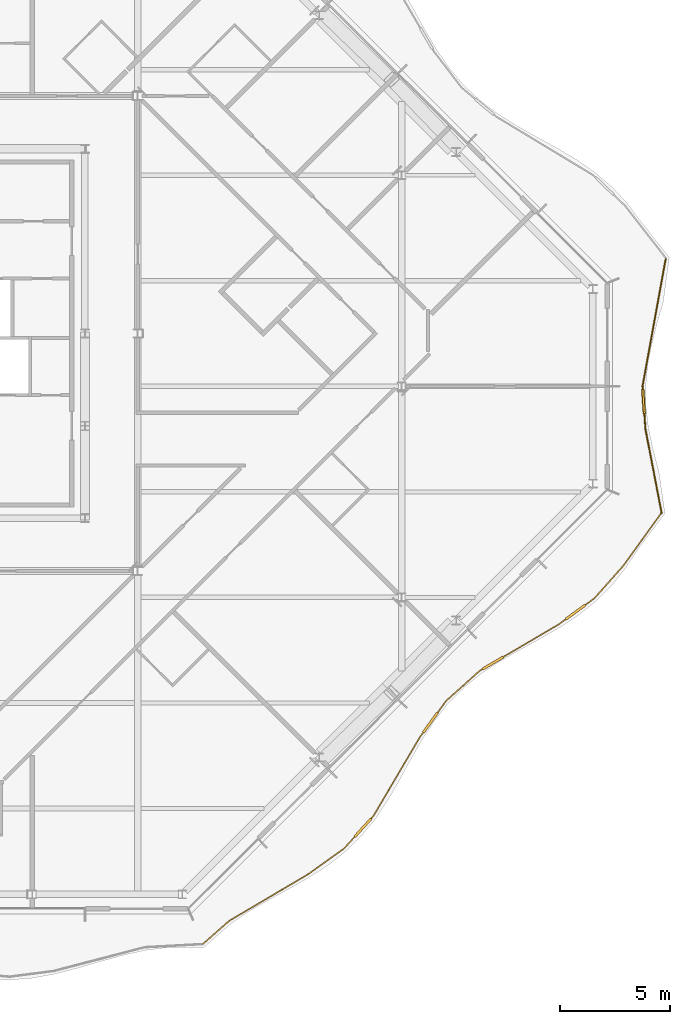
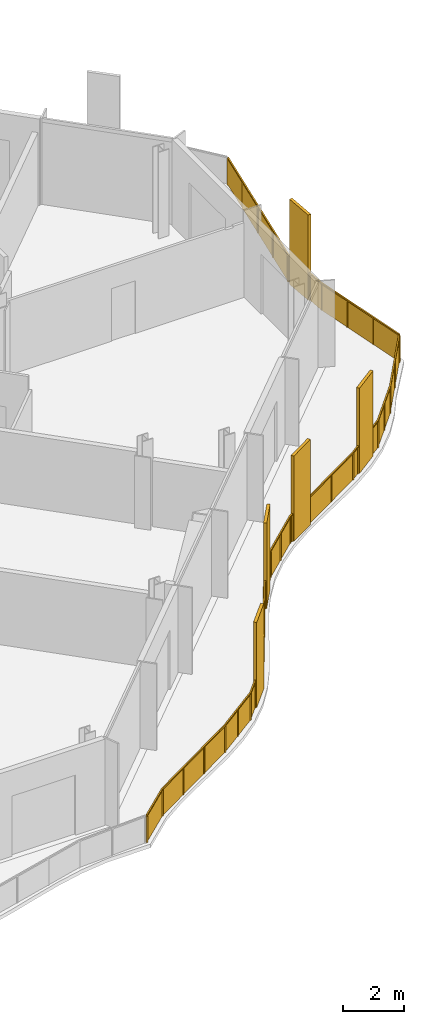
# One storey, part 14 of 16: 2 railings.
"""IFC4 building model written with IfcOpenShell, lengths in metres."""

import ifcopenshell
import ifcopenshell.guid

model = None  # the IFC model being written
_history = None  # IfcOwnerHistory: only IFC2X3 demands one
_inside = {}  # id of a spatial element -> (the spatial element, [elements in it])
_under = {}  # id of a project, library or spatial element -> (it, [spatial elements below it])
_declared = {}  # id of a project -> (the project, [libraries it declares])
_typed = {}  # id of a type object -> (the type object, [elements of that type])
_made_of = {}  # id of a material, layer set ... -> (it, [elements and type objects made of it])


def new_model(schema):
    """Start an empty IFC model of exactly this schema.

    Asked for "IFC4X3", IfcOpenShell would pick the latest addendum, in which some entities
    have other attributes; the version numbers below select the first issue.
    IFC2X3 requires an IfcOwnerHistory on every rooted entity: one is made here for all.
    """
    global model, _history
    if schema == "IFC4X3":
        model = ifcopenshell.file(schema_version=(4, 3, 0, 0))
    else:
        model = ifcopenshell.file(schema=schema)
    _inside.clear()
    _under.clear()
    _declared.clear()
    _typed.clear()
    _made_of.clear()
    _history = None
    if model.schema == "IFC2X3":
        org = make("IfcOrganization", Name="unknown")
        user = make(
            "IfcPersonAndOrganization",
            ThePerson=make("IfcPerson", FamilyName="unknown"),
            TheOrganization=org,
        )
        app = make(
            "IfcApplication",
            ApplicationDeveloper=org,
            Version="unknown",
            ApplicationFullName="unknown",
            ApplicationIdentifier="unknown",
        )
        _history = make(
            "IfcOwnerHistory",
            OwningUser=user,
            OwningApplication=app,
            ChangeAction="ADDED",
            CreationDate=0,
        )
    return model


def make(cls, **values):
    """One entity of the class cls with the attributes given. An attribute that is None is left unset."""
    return model.create_entity(
        cls, **{name: value for name, value in values.items() if value is not None}
    )


def rooted(cls, **values):
    """An entity with a GlobalId (a new one), such as an element, a storey or a relation."""
    return make(cls, GlobalId=ifcopenshell.guid.new(), OwnerHistory=_history, **values)


def si_unit(unit_type, name, prefix=None):
    """IfcSIUnit, for example si_unit("LENGTHUNIT", "METRE", prefix="MILLI")."""
    return make("IfcSIUnit", UnitType=unit_type, Prefix=prefix, Name=name)


def assignment(units):
    """IfcUnitAssignment: the units of a project."""
    return None if units is None else make("IfcUnitAssignment", Units=units)


def point(xyz):
    """IfcCartesianPoint."""
    return None if xyz is None else make("IfcCartesianPoint", Coordinates=xyz)


def direction(xyz):
    """IfcDirection."""
    return None if xyz is None else make("IfcDirection", DirectionRatios=xyz)


def frame(location, z_axis=None, x_axis=None):
    """IfcAxis2Placement3D, a coordinate frame: its origin and axes. An axis left out is left unset."""
    return make(
        "IfcAxis2Placement3D",
        Location=point(location),
        Axis=direction(z_axis),
        RefDirection=direction(x_axis),
    )


def frame_2d(location, x_axis=None):
    """IfcAxis2Placement2D, a coordinate frame in the plane: its origin and x axis."""
    return make(
        "IfcAxis2Placement2D", Location=point(location), RefDirection=direction(x_axis)
    )


def origin():
    """The frame at (0, 0, 0) with its axes left unset."""
    return frame((0.0, 0.0, 0.0))


def origin_2d():
    """The frame at (0, 0) in the plane with its x axis left unset."""
    return frame_2d((0.0, 0.0))


def place(relative_to, where):
    """IfcLocalPlacement: puts the frame where relative to a parent placement (None: the world)."""
    return make(
        "IfcLocalPlacement", PlacementRelTo=relative_to, RelativePlacement=where
    )


def context(
    kind, dimensions, precision=None, world=None, true_north=None, identifier=None
):
    """IfcGeometricRepresentationContext, for example the 3D "Model" context."""
    return make(
        "IfcGeometricRepresentationContext",
        ContextIdentifier=identifier,
        ContextType=kind,
        CoordinateSpaceDimension=dimensions,
        Precision=precision,
        WorldCoordinateSystem=world,
        TrueNorth=true_north,
    )


def subcontext(parent, identifier, kind, view, scale=None):
    """IfcGeometricRepresentationSubContext, for example "Body" below "Model"."""
    return make(
        "IfcGeometricRepresentationSubContext",
        ContextIdentifier=identifier,
        ContextType=kind,
        ParentContext=parent,
        TargetScale=scale,
        TargetView=view,
    )


def project(units=None, contexts=None):
    """IfcProject with its units and contexts."""
    return rooted(
        "IfcProject",
        Name="project",
        RepresentationContexts=contexts,
        UnitsInContext=assignment(units),
    )


def spatial(cls, under=None, at=None, **own):
    """A site, building, storey or space (cls), placed at a placement, below another one or the project."""
    s = rooted(cls, ObjectPlacement=at, **own)
    if under is not None:
        _under.setdefault(under.id(), (under, []))[1].append(s)
    return s


def polyline(points):
    """IfcPolyline through the points."""
    return make("IfcPolyline", Points=[point(p) for p in points])


def profile(cls, at=None, kind="AREA", **sizes):
    """A parametric profile (cls). Its sizes go by their IFC names, for example OverallWidth=200.0."""
    return make(cls, ProfileType=kind, Position=at, **sizes)


def rectangle(**sizes):
    """IfcRectangleProfileDef."""
    return profile("IfcRectangleProfileDef", **sizes)


def outline(outer, holes=None, kind="AREA"):
    """IfcArbitraryClosedProfileDef: a profile drawn as a closed curve; with holes, ...WithVoids."""
    if holes is None:
        return make("IfcArbitraryClosedProfileDef", ProfileType=kind, OuterCurve=outer)
    return make(
        "IfcArbitraryProfileDefWithVoids",
        ProfileType=kind,
        OuterCurve=outer,
        InnerCurves=holes,
    )


def extrude(swept, where, along, depth):
    """IfcExtrudedAreaSolid: the profile swept, set in the frame where, extruded along a direction by depth."""
    return make(
        "IfcExtrudedAreaSolid",
        SweptArea=swept,
        Position=where,
        ExtrudedDirection=direction(along),
        Depth=depth,
    )


def shape(context_of_items, identifier, shape_type, items):
    """IfcShapeRepresentation: the items that make up one representation, for example the "Body"."""
    return make(
        "IfcShapeRepresentation",
        ContextOfItems=context_of_items,
        RepresentationIdentifier=identifier,
        RepresentationType=shape_type,
        Items=items,
    )


def material(Name=None, Category=None):
    """IfcMaterial."""
    return make("IfcMaterial", Name=Name, Category=Category)


def made_of(thing, what):
    """Note that an element or type object is made of a material, layer set ...; save() writes the relation."""
    if what is not None:
        _made_of.setdefault(what.id(), (what, []))[1].append(thing)
    return thing


def type_object(cls, material=None, **own):
    """A type object (cls), such as IfcWallType, which elements share."""
    return made_of(rooted(cls, **own), material)


def element(
    cls,
    number,
    at=None,
    inside=None,
    cuts=None,
    type_object=None,
    material=None,
    context=None,
    identifier="Body",
    shape_type=None,
    held_by="IfcProductDefinitionShape",
    body=None,
    shapes=None,
    **own,
):
    """One element of the class cls, such as IfcWall. Its Tag is "e" and its number.

    at: its placement. inside: the storey or other place that contains it. cuts: it is an
    opening in that element (IfcRelVoidsElement). A single representation is given by context,
    identifier, shape_type and body (its items); several are given by shapes. held_by: the class
    of the entity that holds the representations. save() writes the other relations.
    """
    e = rooted(cls, Tag="e%d" % number, ObjectPlacement=at, **own)
    if body is not None:
        shapes = [shape(context, identifier, shape_type, body)]
    if shapes is not None:
        e.Representation = make(held_by, Representations=shapes)
    if inside is not None:
        _inside.setdefault(inside.id(), (inside, []))[1].append(e)
    if cuts is not None:
        rooted(
            "IfcRelVoidsElement", RelatingBuildingElement=cuts, RelatedOpeningElement=e
        )
    if type_object is not None:
        _typed.setdefault(type_object.id(), (type_object, []))[1].append(e)
    return made_of(e, material)


def aggregate(whole, parts):
    """IfcRelAggregates: a whole, such as a stair, and the parts it consists of."""
    return rooted("IfcRelAggregates", RelatingObject=whole, RelatedObjects=parts)


def save(model, path):
    """Write the relations noted so far, then the file.

    IfcRelAggregates (storeys below a building ...), IfcRelContainedInSpatialStructure (elements
    in a storey), IfcRelDefinesByType, IfcRelAssociatesMaterial and IfcRelDeclares: one each for
    every whole, place, type object, material and project.
    """
    for whole, parts in _under.values():
        aggregate(whole, parts)
    for where, things in _inside.values():
        rooted(
            "IfcRelContainedInSpatialStructure",
            RelatedElements=things,
            RelatingStructure=where,
        )
    for kind, things in _typed.values():
        rooted("IfcRelDefinesByType", RelatedObjects=things, RelatingType=kind)
    for what, things in _made_of.values():
        rooted("IfcRelAssociatesMaterial", RelatedObjects=things, RelatingMaterial=what)
    for by, libraries in _declared.values():
        rooted("IfcRelDeclares", RelatingContext=by, RelatedDefinitions=libraries)
    model.write(path)


model = new_model("IFC4")

# Units and contexts
model_context = context("Model", 3, precision=1e-05, world=origin(), true_north=direction((0.0, 1.0)))
body_context = subcontext(model_context, "Body", "Model", "MODEL_VIEW")
ifc_project = project(units=[si_unit("LENGTHUNIT", "METRE"), si_unit("AREAUNIT", "SQUARE_METRE"), si_unit("VOLUMEUNIT", "CUBIC_METRE"), si_unit("PLANEANGLEUNIT", "RADIAN"), si_unit("MASSUNIT", "GRAM", prefix="KILO")], contexts=[model_context])

# Site, building, storey
site_placement = place(None, origin())
site = spatial("IfcSite", under=ifc_project, at=site_placement, CompositionType="ELEMENT")
building_placement = place(site_placement, origin())
building = spatial("IfcBuilding", under=site, at=building_placement, Name="Cairn Pilgrim Tower", CompositionType="ELEMENT")
storey_placement = place(building_placement, frame((0.0, 0.0, 277.800048828125)))
storey = spatial("IfcBuildingStorey", under=building, at=storey_placement, Name="L71", CompositionType="ELEMENT", Elevation=277.800048828125)

# Railings
ifc_material = material(Name="Bronze anodised aluminium rail, posts and fin screens with laminated glass infill", Category="aluminium")
railing_type = type_object("IfcRailingType", Name="BALCONY GUARD WITH FIN SCREENS", PredefinedType="GUARDRAIL", material=ifc_material)
railing_1_placement = place(storey_placement, frame((22.1650390625, -25.3623046875, 0.0)))
element("IfcRailing", 1, at=railing_1_placement, inside=storey, type_object=railing_type, Name="Balcony guard BGF-2 with fin screens", PredefinedType="GUARDRAIL", context=body_context, shape_type="SweptSolid", body=[
    extrude(rectangle(XDim=0.050048828125, YDim=0.050048828125, at=origin_2d()), frame((0.0, 0.0, 1.0751953125), z_axis=(0.749927120547, 0.661520456122, 0.0), x_axis=(-0.661520456122, 0.749927120547, 0.0)), (0.0, 0.0, 1.0), 1.59619140625),
    extrude(rectangle(XDim=0.050048828125, YDim=0.050048828125, at=origin_2d()), frame((1.197021484375, 1.055908203125, 1.0751953125), z_axis=(0.861294158792, 0.508106654189, 0.0), x_axis=(-0.508106654189, 0.861294158792, 0.0)), (0.0, 0.0, 1.0), 4.162109375),
    extrude(rectangle(XDim=0.050048828125, YDim=0.050048828125, at=origin_2d()), frame((4.78173828125, 3.170654296875, 1.0751953125), z_axis=(0.813086538986, 0.582142834809, 0.0), x_axis=(-0.582142834809, 0.813086538986, 0.0)), (0.0, 0.0, 1.0), 2.015869140625),
    extrude(rectangle(XDim=1.10009765625, YDim=0.110107421875, at=origin_2d()), frame((7.28125, 5.294921875, 0.0), z_axis=(0.0, 0.0, 1.0), x_axis=(0.671003619612, 0.741454073067, 0.0)), (0.0, 0.0, 1.0), 3.39990234375),
    extrude(rectangle(XDim=0.050048828125, YDim=0.050048828125, at=origin_2d()), frame((6.4208984375, 4.34423828125, 1.0751953125), z_axis=(0.671003619612, 0.741454073067, 0.0), x_axis=(-0.741454073067, 0.671003619612, 0.0)), (0.0, 0.0, 1.0), 0.732421875),
    extrude(rectangle(XDim=0.050048828125, YDim=0.050048828125, at=origin_2d()), frame((7.650390625, 5.702880859375, 1.0751953125), z_axis=(0.671003619612, 0.741454073067, 0.0), x_axis=(-0.741454073067, 0.671003619612, 0.0)), (0.0, 0.0, 1.0), 0.14990234375),
    extrude(rectangle(XDim=0.050048828125, YDim=0.050048828125, at=origin_2d()), frame((7.7509765625, 5.81396484375, 1.0751953125), z_axis=(0.507274800185, 0.861784356494, 0.0), x_axis=(-0.861784356494, 0.507274800185, 0.0)), (0.0, 0.0, 1.0), 4.147216796875),
    extrude(rectangle(XDim=1.10009765625, YDim=0.110107421875, at=origin_2d()), frame((10.34423828125, 10.06591796875, 0.0), z_axis=(0.0, 0.0, 1.0), x_axis=(0.585455943842, 0.810704223389, 0.0)), (0.0, 0.0, 1.0), 3.39990234375),
    extrude(rectangle(XDim=0.050048828125, YDim=0.050048828125, at=origin_2d()), frame((9.854736328125, 9.387939453125, 1.0751953125), z_axis=(0.585455943842, 0.810704223389, 0.0), x_axis=(-0.810704223389, 0.585455943842, 0.0)), (0.0, 0.0, 1.0), 0.2861328125),
    extrude(rectangle(XDim=0.050048828125, YDim=0.050048828125, at=origin_2d()), frame((10.666259765625, 10.51171875, 1.0751953125), z_axis=(0.585455943842, 0.810704223389, 0.0), x_axis=(-0.810704223389, 0.585455943842, 0.0)), (0.0, 0.0, 1.0), 0.67431640625),
    extrude(rectangle(XDim=0.050048828125, YDim=0.050048828125, at=origin_2d()), frame((11.06103515625, 11.058349609375, 1.0751953125), z_axis=(0.744776014458, 0.667314534749, 0.0), x_axis=(-0.667314534749, 0.744776014458, 0.0)), (0.0, 0.0, 1.0), 2.04541015625),
    extrude(rectangle(XDim=1.10009765625, YDim=0.110107421875, at=origin_2d()), frame((13.188232421875, 12.77783203125, 0.0), z_axis=(0.0, 0.0, 1.0), x_axis=(0.862256597485, 0.506471677484, 0.0)), (0.0, 0.0, 1.0), 3.39990234375),
    extrude(rectangle(XDim=0.050048828125, YDim=0.050048828125, at=origin_2d()), frame((12.58447265625, 12.42333984375, 1.0751953125), z_axis=(0.862256597485, 0.506471677484, 0.0), x_axis=(-0.506471677484, 0.862256597485, 0.0)), (0.0, 0.0, 1.0), 0.150146484375),
    extrude(rectangle(XDim=0.050048828125, YDim=0.050048828125, at=origin_2d()), frame((13.662353515625, 13.056396484375, 1.0751953125), z_axis=(0.862256597485, 0.506471677484, 0.0), x_axis=(-0.506471677484, 0.862256597485, 0.0)), (0.0, 0.0, 1.0), 2.913818359375),
    extrude(rectangle(XDim=1.10009765625, YDim=0.110107421875, at=origin_2d()), frame((16.951904296875, 15.09814453125, 0.0), z_axis=(0.0, 0.0, 1.0), x_axis=(0.808263712864, 0.5888206607, 0.0)), (0.0, 0.0, 1.0), 3.39990234375),
    extrude(rectangle(XDim=0.050048828125, YDim=0.050048828125, at=origin_2d()), frame((16.1748046875, 14.5322265625, 1.0751953125), z_axis=(0.808263712864, 0.5888206607, 0.0), x_axis=(-0.5888206607, 0.808263712864, 0.0)), (0.0, 0.0, 1.0), 0.411376953125),
    extrude(rectangle(XDim=0.050048828125, YDim=0.050048828125, at=origin_2d()), frame((17.396240234375, 15.422119140625, 1.0751953125), z_axis=(0.808263712864, 0.5888206607, 0.0), x_axis=(-0.5888206607, 0.808263712864, 0.0)), (0.0, 0.0, 1.0), 0.501220703125),
    extrude(rectangle(XDim=0.050048828125, YDim=0.050048828125, at=origin_2d()), frame((17.801513671875, 15.71728515625, 1.0751953125), z_axis=(0.663533795583, 0.748146310636, 0.0), x_axis=(-0.748146310636, 0.663533795583, 0.0)), (0.0, 0.0, 1.0), 1.990966796875),
    extrude(rectangle(XDim=0.050048828125, YDim=0.050048828125, at=origin_2d()), frame((19.12255859375, 17.206787109375, 1.0751953125), z_axis=(0.584858169329, 0.811135575456, 0.0), x_axis=(-0.811135575456, 0.584858169329, 0.0)), (0.0, 0.0, 1.0), 2.904541015625),
    extrude(rectangle(XDim=0.050048828125, YDim=0.050048828125, at=origin_2d()), origin(), (0.0, 0.0, 1.0), 1.050048828125),
    extrude(rectangle(XDim=0.050048828125, YDim=0.050048828125, at=origin_2d()), frame((1.197021484375, 1.055908203125, 0.0)), (0.0, 0.0, 1.0), 1.050048828125),
    extrude(rectangle(XDim=0.050048828125, YDim=0.050048828125, at=origin_2d()), frame((2.391845703125, 1.7607421875, 0.0)), (0.0, 0.0, 1.0), 1.050048828125),
    extrude(rectangle(XDim=0.050048828125, YDim=0.050048828125, at=origin_2d()), frame((3.5869140625, 2.4658203125, 0.0)), (0.0, 0.0, 1.0), 1.050048828125),
    extrude(rectangle(XDim=0.050048828125, YDim=0.050048828125, at=origin_2d()), frame((4.78173828125, 3.170654296875, 0.0)), (0.0, 0.0, 1.0), 1.050048828125),
    extrude(rectangle(XDim=0.050048828125, YDim=0.050048828125, at=origin_2d()), frame((5.601318359375, 3.75732421875, 0.0)), (0.0, 0.0, 1.0), 1.050048828125),
    extrude(rectangle(XDim=0.050048828125, YDim=0.050048828125, at=origin_2d()), frame((6.4208984375, 4.34423828125, 0.0)), (0.0, 0.0, 1.0), 1.050048828125),
    extrude(rectangle(XDim=0.050048828125, YDim=0.050048828125, at=origin_2d()), frame((6.8955078125, 4.86865234375, 0.0)), (0.0, 0.0, 1.0), 1.050048828125),
    extrude(rectangle(XDim=0.050048828125, YDim=0.050048828125, at=origin_2d()), frame((7.667236328125, 5.721435546875, 0.0)), (0.0, 0.0, 1.0), 1.050048828125),
    extrude(rectangle(XDim=0.050048828125, YDim=0.050048828125, at=origin_2d()), frame((7.7509765625, 5.81396484375, 0.0)), (0.0, 0.0, 1.0), 1.050048828125),
    extrude(rectangle(XDim=0.050048828125, YDim=0.050048828125, at=origin_2d()), frame((8.4521484375, 7.00537109375, 0.0)), (0.0, 0.0, 1.0), 1.050048828125),
    extrude(rectangle(XDim=0.050048828125, YDim=0.050048828125, at=origin_2d()), frame((9.153564453125, 8.196533203125, 0.0)), (0.0, 0.0, 1.0), 1.050048828125),
    extrude(rectangle(XDim=0.050048828125, YDim=0.050048828125, at=origin_2d()), frame((9.854736328125, 9.387939453125, 0.0)), (0.0, 0.0, 1.0), 1.050048828125),
    extrude(rectangle(XDim=0.050048828125, YDim=0.050048828125, at=origin_2d()), frame((10.007568359375, 9.599609375, 0.0)), (0.0, 0.0, 1.0), 1.050048828125),
    extrude(rectangle(XDim=0.050048828125, YDim=0.050048828125, at=origin_2d()), frame((10.680908203125, 10.531982421875, 0.0)), (0.0, 0.0, 1.0), 1.050048828125),
    extrude(rectangle(XDim=0.050048828125, YDim=0.050048828125, at=origin_2d()), frame((11.06103515625, 11.058349609375, 0.0)), (0.0, 0.0, 1.0), 1.050048828125),
    extrude(rectangle(XDim=0.050048828125, YDim=0.050048828125, at=origin_2d()), frame((11.82275390625, 11.74072265625, 0.0)), (0.0, 0.0, 1.0), 1.050048828125),
    extrude(rectangle(XDim=0.050048828125, YDim=0.050048828125, at=origin_2d()), frame((12.58447265625, 12.42333984375, 0.0)), (0.0, 0.0, 1.0), 1.050048828125),
    extrude(rectangle(XDim=0.050048828125, YDim=0.050048828125, at=origin_2d()), frame((12.6923828125, 12.486572265625, 0.0)), (0.0, 0.0, 1.0), 1.050048828125),
    extrude(rectangle(XDim=0.050048828125, YDim=0.050048828125, at=origin_2d()), frame((13.683837890625, 13.069091796875, 0.0)), (0.0, 0.0, 1.0), 1.050048828125),
    extrude(rectangle(XDim=0.050048828125, YDim=0.050048828125, at=origin_2d()), frame((14.929443359375, 13.80078125, 0.0)), (0.0, 0.0, 1.0), 1.050048828125),
    extrude(rectangle(XDim=0.050048828125, YDim=0.050048828125, at=origin_2d()), frame((16.1748046875, 14.5322265625, 0.0)), (0.0, 0.0, 1.0), 1.050048828125),
    extrude(rectangle(XDim=0.050048828125, YDim=0.050048828125, at=origin_2d()), frame((16.487060546875, 14.759765625, 0.0)), (0.0, 0.0, 1.0), 1.050048828125),
    extrude(rectangle(XDim=0.050048828125, YDim=0.050048828125, at=origin_2d()), frame((17.41650390625, 15.436767578125, 0.0)), (0.0, 0.0, 1.0), 1.050048828125),
    extrude(rectangle(XDim=0.050048828125, YDim=0.050048828125, at=origin_2d()), frame((17.801513671875, 15.71728515625, 0.0)), (0.0, 0.0, 1.0), 1.050048828125),
    extrude(rectangle(XDim=0.050048828125, YDim=0.050048828125, at=origin_2d()), frame((18.4619140625, 16.4619140625, 0.0)), (0.0, 0.0, 1.0), 1.050048828125),
    extrude(rectangle(XDim=0.050048828125, YDim=0.050048828125, at=origin_2d()), frame((19.12255859375, 17.206787109375, 0.0)), (0.0, 0.0, 1.0), 1.050048828125),
    extrude(rectangle(XDim=0.050048828125, YDim=0.050048828125, at=origin_2d()), frame((19.971923828125, 18.384765625, 0.0)), (0.0, 0.0, 1.0), 1.050048828125),
    extrude(rectangle(XDim=0.050048828125, YDim=0.050048828125, at=origin_2d()), frame((20.8212890625, 19.562744140625, 0.0)), (0.0, 0.0, 1.0), 1.050048828125),
    extrude(outline(polyline([(0.02490234375, 0.0), (1.571044921875, 0.0), (1.571044921875, 1.050048828125), (0.02490234375, 1.050048828125), (0.02490234375, 0.0)])), frame((-0.00390625, 0.00439453125, 0.0), z_axis=(0.661520456122, -0.749927120547, 0.0), x_axis=(0.749927120547, 0.661520456122, 0.0)), (0.0, 0.0, 1.0), 0.011962890625),
    extrude(outline(polyline([(0.02490234375, 0.0), (1.3623046875, 0.0), (1.3623046875, 1.050048828125), (0.02490234375, 1.050048828125), (0.02490234375, 0.0)])), frame((1.194091796875, 1.06103515625, 0.0), z_axis=(0.508106654189, -0.861294158792, 0.0), x_axis=(0.861294158792, 0.508106654189, 0.0)), (0.0, 0.0, 1.0), 0.011962890625),
    extrude(outline(polyline([(0.02490234375, 0.0), (1.3623046875, 0.0), (1.3623046875, 1.050048828125), (0.02490234375, 1.050048828125), (0.02490234375, 0.0)])), frame((2.388916015625, 1.765869140625, 0.0), z_axis=(0.508106654189, -0.861294158792, 0.0), x_axis=(0.861294158792, 0.508106654189, 0.0)), (0.0, 0.0, 1.0), 0.011962890625),
    extrude(outline(polyline([(0.02490234375, 0.0), (1.3623046875, 0.0), (1.3623046875, 1.050048828125), (0.02490234375, 1.050048828125), (0.02490234375, 0.0)])), frame((3.583740234375, 2.470947265625, 0.0), z_axis=(0.508106654189, -0.861294158792, 0.0), x_axis=(0.861294158792, 0.508106654189, 0.0)), (0.0, 0.0, 1.0), 0.011962890625),
    extrude(outline(polyline([(0.02490234375, 0.0), (0.98291015625, 0.0), (0.98291015625, 1.050048828125), (0.02490234375, 1.050048828125), (0.02490234375, 0.0)])), frame((4.7783203125, 3.175537109375, 0.0), z_axis=(0.582142834809, -0.813086538986, 0.0), x_axis=(0.813086538986, 0.582142834809, 0.0)), (0.0, 0.0, 1.0), 0.011962890625),
    extrude(outline(polyline([(0.02490234375, 0.0), (0.98291015625, 0.0), (0.98291015625, 1.050048828125), (0.02490234375, 1.050048828125), (0.02490234375, 0.0)])), frame((5.597900390625, 3.76220703125, 0.0), z_axis=(0.582142834809, -0.813086538986, 0.0), x_axis=(0.813086538986, 0.582142834809, 0.0)), (0.0, 0.0, 1.0), 0.011962890625),
    extrude(outline(polyline([(0.02490234375, 0.0), (0.682373046875, 0.0), (0.682373046875, 1.050048828125), (0.02490234375, 1.050048828125), (0.02490234375, 0.0)])), frame((6.41650390625, 4.34814453125, 0.0), z_axis=(0.741454073067, -0.671003619612, 0.0), x_axis=(0.671003619612, 0.741454073067, 0.0)), (0.0, 0.0, 1.0), 0.011962890625),
    extrude(outline(polyline([(0.02490234375, 0.0), (0.099853515625, 0.0), (0.099853515625, 1.050048828125), (0.02490234375, 1.050048828125), (0.02490234375, 0.0)])), frame((7.662841796875, 5.725341796875, 0.0), z_axis=(0.741454073067, -0.671003619612, 0.0), x_axis=(0.671003619612, 0.741454073067, 0.0)), (0.0, 0.0, 1.0), 0.011962890625),
    extrude(outline(polyline([(0.02490234375, 0.0), (1.357421875, 0.0), (1.357421875, 1.050048828125), (0.02490234375, 1.050048828125), (0.02490234375, 0.0)])), frame((7.745849609375, 5.81689453125, 0.0), z_axis=(0.861784356494, -0.507274800185, 0.0), x_axis=(0.507274800185, 0.861784356494, 0.0)), (0.0, 0.0, 1.0), 0.011962890625),
    extrude(outline(polyline([(0.02490234375, 0.0), (1.357421875, 0.0), (1.357421875, 1.050048828125), (0.02490234375, 1.050048828125), (0.02490234375, 0.0)])), frame((8.447021484375, 7.00830078125, 0.0), z_axis=(0.861784356494, -0.507274800185, 0.0), x_axis=(0.507274800185, 0.861784356494, 0.0)), (0.0, 0.0, 1.0), 0.011962890625),
    extrude(outline(polyline([(0.02490234375, 0.0), (1.357421875, 0.0), (1.357421875, 1.050048828125), (0.02490234375, 1.050048828125), (0.02490234375, 0.0)])), frame((9.1484375, 8.19970703125, 0.0), z_axis=(0.861784356494, -0.507274800185, 0.0), x_axis=(0.507274800185, 0.861784356494, 0.0)), (0.0, 0.0, 1.0), 0.011962890625),
    extrude(outline(polyline([(0.02490234375, 0.0), (0.236083984375, 0.0), (0.236083984375, 1.050048828125), (0.02490234375, 1.050048828125), (0.02490234375, 0.0)])), frame((9.849853515625, 9.391357421875, 0.0), z_axis=(0.810704223389, -0.585455943842, 0.0), x_axis=(0.585455943842, 0.810704223389, 0.0)), (0.0, 0.0, 1.0), 0.011962890625),
    extrude(outline(polyline([(0.02490234375, 0.0), (0.624267578125, 0.0), (0.624267578125, 1.050048828125), (0.02490234375, 1.050048828125), (0.02490234375, 0.0)])), frame((10.676025390625, 10.53564453125, 0.0), z_axis=(0.810704223389, -0.585455943842, 0.0), x_axis=(0.585455943842, 0.810704223389, 0.0)), (0.0, 0.0, 1.0), 0.011962890625),
    extrude(outline(polyline([(0.02490234375, 0.0), (0.997802734375, 0.0), (0.997802734375, 1.050048828125), (0.02490234375, 1.050048828125), (0.02490234375, 0.0)])), frame((11.05712890625, 11.062744140625, 0.0), z_axis=(0.667314534749, -0.744776014458, 0.0), x_axis=(0.744776014458, 0.667314534749, 0.0)), (0.0, 0.0, 1.0), 0.011962890625),
    extrude(outline(polyline([(0.02490234375, 0.0), (0.997802734375, 0.0), (0.997802734375, 1.050048828125), (0.02490234375, 1.050048828125), (0.02490234375, 0.0)])), frame((11.81884765625, 11.745361328125, 0.0), z_axis=(0.667314534749, -0.744776014458, 0.0), x_axis=(0.744776014458, 0.667314534749, 0.0)), (0.0, 0.0, 1.0), 0.011962890625),
    extrude(outline(polyline([(0.02490234375, 0.0), (0.10009765625, 0.0), (0.10009765625, 1.050048828125), (0.02490234375, 1.050048828125), (0.02490234375, 0.0)])), frame((12.58154296875, 12.428466796875, 0.0), z_axis=(0.506471677484, -0.862256597485, 0.0), x_axis=(0.862256597485, 0.506471677484, 0.0)), (0.0, 0.0, 1.0), 0.011962890625),
    extrude(outline(polyline([(0.02490234375, 0.0), (1.41943359375, 0.0), (1.41943359375, 1.050048828125), (0.02490234375, 1.050048828125), (0.02490234375, 0.0)])), frame((13.680908203125, 13.07421875, 0.0), z_axis=(0.506471677484, -0.862256597485, 0.0), x_axis=(0.862256597485, 0.506471677484, 0.0)), (0.0, 0.0, 1.0), 0.011962890625),
    extrude(outline(polyline([(0.02490234375, 0.0), (1.41943359375, 0.0), (1.41943359375, 1.050048828125), (0.02490234375, 1.050048828125), (0.02490234375, 0.0)])), frame((14.92626953125, 13.805908203125, 0.0), z_axis=(0.506471677484, -0.862256597485, 0.0), x_axis=(0.862256597485, 0.506471677484, 0.0)), (0.0, 0.0, 1.0), 0.011962890625),
    extrude(outline(polyline([(0.02490234375, 0.0), (0.361328125, 0.0), (0.361328125, 1.050048828125), (0.02490234375, 1.050048828125), (0.02490234375, 0.0)])), frame((16.17138671875, 14.537109375, 0.0), z_axis=(0.5888206607, -0.808263712864, 0.0), x_axis=(0.808263712864, 0.5888206607, 0.0)), (0.0, 0.0, 1.0), 0.011962890625),
    extrude(outline(polyline([(0.02490234375, 0.0), (0.451171875, 0.0), (0.451171875, 1.050048828125), (0.02490234375, 1.050048828125), (0.02490234375, 0.0)])), frame((17.4130859375, 15.441650390625, 0.0), z_axis=(0.5888206607, -0.808263712864, 0.0), x_axis=(0.808263712864, 0.5888206607, 0.0)), (0.0, 0.0, 1.0), 0.011962890625),
    extrude(outline(polyline([(0.02490234375, 0.0), (0.970458984375, 0.0), (0.970458984375, 1.050048828125), (0.02490234375, 1.050048828125), (0.02490234375, 0.0)])), frame((17.797119140625, 15.72119140625, 0.0), z_axis=(0.748146310636, -0.663533795583, 0.0), x_axis=(0.663533795583, 0.748146310636, 0.0)), (0.0, 0.0, 1.0), 0.011962890625),
    extrude(outline(polyline([(0.02490234375, 0.0), (0.970458984375, 0.0), (0.970458984375, 1.050048828125), (0.02490234375, 1.050048828125), (0.02490234375, 0.0)])), frame((18.45751953125, 16.466064453125, 0.0), z_axis=(0.748146310636, -0.663533795583, 0.0), x_axis=(0.663533795583, 0.748146310636, 0.0)), (0.0, 0.0, 1.0), 0.011962890625),
    extrude(outline(polyline([(0.02490234375, 0.0), (1.42724609375, 0.0), (1.42724609375, 1.050048828125), (0.02490234375, 1.050048828125), (0.02490234375, 0.0)])), frame((19.11767578125, 17.210205078125, 0.0), z_axis=(0.811135575456, -0.584858169329, 0.0), x_axis=(0.584858169329, 0.811135575456, 0.0)), (0.0, 0.0, 1.0), 0.011962890625),
    extrude(outline(polyline([(0.02490234375, 0.0), (1.42724609375, 0.0), (1.42724609375, 1.050048828125), (0.02490234375, 1.050048828125), (0.02490234375, 0.0)])), frame((19.967041015625, 18.38818359375, 0.0), z_axis=(0.811135575456, -0.584858169329, 0.0), x_axis=(0.584858169329, 0.811135575456, 0.0)), (0.0, 0.0, 1.0), 0.011962890625),
])
railing_2_placement = place(storey_placement, frame((43.021484375, -5.7509765625, 0.0)))
element("IfcRailing", 2, at=railing_2_placement, inside=storey, type_object=railing_type, Name="Balcony guard BGF-3 with fin screens", PredefinedType="GUARDRAIL", context=body_context, shape_type="SweptSolid", body=[
    extrude(rectangle(XDim=0.050048828125, YDim=0.050048828125, at=origin_2d()), frame((0.0, 0.0, 1.0751953125), z_axis=(-0.188817066575, 0.982012278625, 0.0), x_axis=(-0.982012278625, -0.188817066575, 0.0)), (0.0, 0.0, 1.0), 3.881591796875),
    extrude(rectangle(XDim=1.10009765625, YDim=0.110107421875, at=origin_2d()), frame((-0.81787109375, 5.06103515625, 0.0), z_axis=(0.0, 0.0, 1.0), x_axis=(-0.067780588657, 0.997700251479, 0.0)), (0.0, 0.0, 1.0), 3.39990234375),
    extrude(rectangle(XDim=0.050048828125, YDim=0.050048828125, at=origin_2d()), frame((-0.73291015625, 3.811767578125, 1.0751953125), z_axis=(-0.067780588657, 0.997700251479, 0.0), x_axis=(-0.997700251479, -0.067780588657, 0.0)), (0.0, 0.0, 1.0), 0.7021484375),
    extrude(rectangle(XDim=0.050048828125, YDim=0.050048828125, at=origin_2d()), frame((-0.85498046875, 5.60986328125, 1.0751953125), z_axis=(-0.067780588657, 0.997700251479, 0.0), x_axis=(-0.997700251479, -0.067780588657, 0.0)), (0.0, 0.0, 1.0), 0.150146484375),
    extrude(rectangle(XDim=0.050048828125, YDim=0.050048828125, at=origin_2d()), frame((-0.865234375, 5.759521484375, 1.0751953125), z_axis=(0.179549400911, 0.983748958135, 0.0), x_axis=(-0.983748958135, 0.179549400911, 0.0)), (0.0, 0.0, 1.0), 5.8564453125),
    extrude(rectangle(XDim=0.050048828125, YDim=0.050048828125, at=origin_2d()), origin(), (0.0, 0.0, 1.0), 1.050048828125),
    extrude(rectangle(XDim=0.050048828125, YDim=0.050048828125, at=origin_2d()), frame((-0.244384765625, 1.2705078125, 0.0)), (0.0, 0.0, 1.0), 1.050048828125),
    extrude(rectangle(XDim=0.050048828125, YDim=0.050048828125, at=origin_2d()), frame((-0.488525390625, 2.541259765625, 0.0)), (0.0, 0.0, 1.0), 1.050048828125),
    extrude(rectangle(XDim=0.050048828125, YDim=0.050048828125, at=origin_2d()), frame((-0.73291015625, 3.811767578125, 0.0)), (0.0, 0.0, 1.0), 1.050048828125),
    extrude(rectangle(XDim=0.050048828125, YDim=0.050048828125, at=origin_2d()), frame((-0.77880859375, 4.4873046875, 0.0)), (0.0, 0.0, 1.0), 1.050048828125),
    extrude(rectangle(XDim=0.050048828125, YDim=0.050048828125, at=origin_2d()), frame((-0.856689453125, 5.634765625, 0.0)), (0.0, 0.0, 1.0), 1.050048828125),
    extrude(rectangle(XDim=0.050048828125, YDim=0.050048828125, at=origin_2d()), frame((-0.865234375, 5.759521484375, 0.0)), (0.0, 0.0, 1.0), 1.050048828125),
    extrude(rectangle(XDim=0.050048828125, YDim=0.050048828125, at=origin_2d()), frame((-0.602294921875, 7.19970703125, 0.0)), (0.0, 0.0, 1.0), 1.050048828125),
    extrude(rectangle(XDim=0.050048828125, YDim=0.050048828125, at=origin_2d()), frame((-0.33935546875, 8.64013671875, 0.0)), (0.0, 0.0, 1.0), 1.050048828125),
    extrude(rectangle(XDim=0.050048828125, YDim=0.050048828125, at=origin_2d()), frame((-0.07666015625, 10.08056640625, 0.0)), (0.0, 0.0, 1.0), 1.050048828125),
    extrude(rectangle(XDim=0.050048828125, YDim=0.050048828125, at=origin_2d()), frame((0.186279296875, 11.520751953125, 0.0)), (0.0, 0.0, 1.0), 1.050048828125),
    extrude(outline(polyline([(0.02490234375, 0.0), (1.268798828125, 0.0), (1.268798828125, 1.050048828125), (0.02490234375, 1.050048828125), (0.02490234375, 0.0)])), frame((-0.005859375, -0.001220703125, 0.0), z_axis=(0.982012278625, 0.188817066575, 0.0), x_axis=(-0.188817066575, 0.982012278625, 0.0)), (0.0, 0.0, 1.0), 0.011962890625),
    extrude(outline(polyline([(0.02490234375, 0.0), (1.268798828125, 0.0), (1.268798828125, 1.050048828125), (0.02490234375, 1.050048828125), (0.02490234375, 0.0)])), frame((-0.250244140625, 1.26953125, 0.0), z_axis=(0.982012278625, 0.188817066575, 0.0), x_axis=(-0.188817066575, 0.982012278625, 0.0)), (0.0, 0.0, 1.0), 0.011962890625),
    extrude(outline(polyline([(0.02490234375, 0.0), (1.268798828125, 0.0), (1.268798828125, 1.050048828125), (0.02490234375, 1.050048828125), (0.02490234375, 0.0)])), frame((-0.494384765625, 2.5400390625, 0.0), z_axis=(0.982012278625, 0.188817066575, 0.0), x_axis=(-0.188817066575, 0.982012278625, 0.0)), (0.0, 0.0, 1.0), 0.011962890625),
    extrude(outline(polyline([(0.02490234375, 0.0), (0.652099609375, 0.0), (0.652099609375, 1.050048828125), (0.02490234375, 1.050048828125), (0.02490234375, 0.0)])), frame((-0.73876953125, 3.811279296875, 0.0), z_axis=(0.997700251479, 0.067780588657, 0.0), x_axis=(-0.067780588657, 0.997700251479, 0.0)), (0.0, 0.0, 1.0), 0.011962890625),
    extrude(outline(polyline([(0.02490234375, 0.0), (0.10009765625, 0.0), (0.10009765625, 1.050048828125), (0.02490234375, 1.050048828125), (0.02490234375, 0.0)])), frame((-0.86279296875, 5.63427734375, 0.0), z_axis=(0.997700251479, 0.067780588657, 0.0), x_axis=(-0.067780588657, 0.997700251479, 0.0)), (0.0, 0.0, 1.0), 0.011962890625),
    extrude(outline(polyline([(0.02490234375, 0.0), (1.43896484375, 0.0), (1.43896484375, 1.050048828125), (0.02490234375, 1.050048828125), (0.02490234375, 0.0)])), frame((-0.87109375, 5.760498046875, 0.0), z_axis=(0.983748958135, -0.179549400911, 0.0), x_axis=(0.179549400911, 0.983748958135, 0.0)), (0.0, 0.0, 1.0), 0.011962890625),
    extrude(outline(polyline([(0.02490234375, 0.0), (1.43896484375, 0.0), (1.43896484375, 1.050048828125), (0.02490234375, 1.050048828125), (0.02490234375, 0.0)])), frame((-0.608154296875, 7.200927734375, 0.0), z_axis=(0.983748958135, -0.179549400911, 0.0), x_axis=(0.179549400911, 0.983748958135, 0.0)), (0.0, 0.0, 1.0), 0.011962890625),
    extrude(outline(polyline([(0.02490234375, 0.0), (1.43896484375, 0.0), (1.43896484375, 1.050048828125), (0.02490234375, 1.050048828125), (0.02490234375, 0.0)])), frame((-0.345458984375, 8.64111328125, 0.0), z_axis=(0.983748958135, -0.179549400911, 0.0), x_axis=(0.179549400911, 0.983748958135, 0.0)), (0.0, 0.0, 1.0), 0.011962890625),
    extrude(outline(polyline([(0.02490234375, 0.0), (1.43896484375, 0.0), (1.43896484375, 1.050048828125), (0.02490234375, 1.050048828125), (0.02490234375, 0.0)])), frame((-0.08251953125, 10.08154296875, 0.0), z_axis=(0.983748958135, -0.179549400911, 0.0), x_axis=(0.179549400911, 0.983748958135, 0.0)), (0.0, 0.0, 1.0), 0.011962890625),
])

save(model, "model.ifc")
